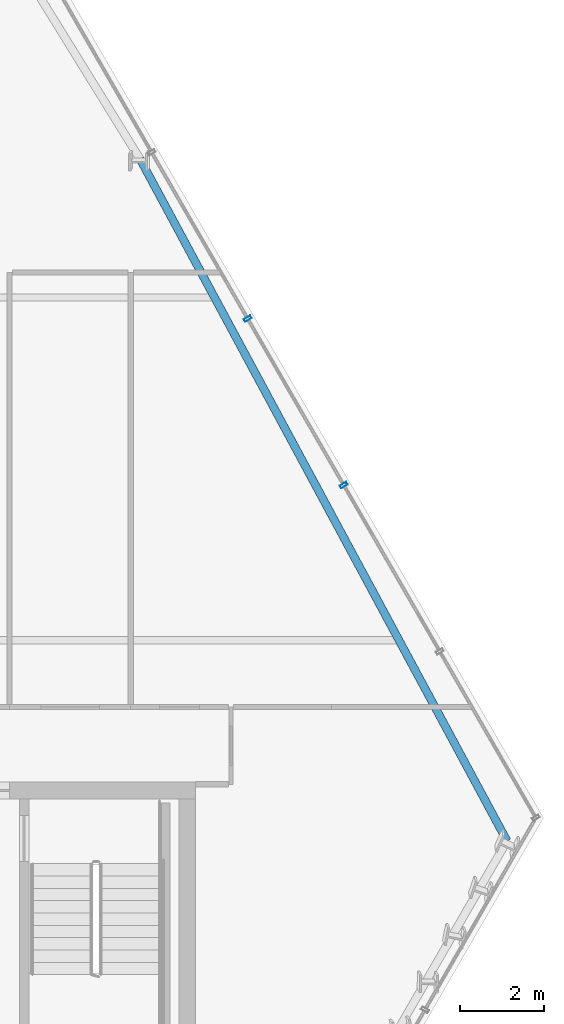
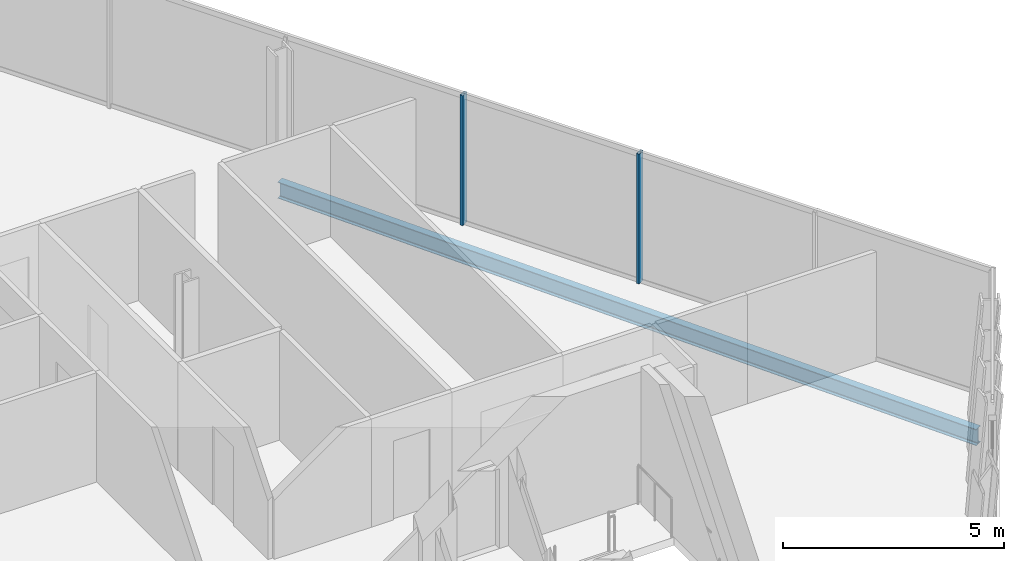
# One storey, part 17 of 33: 2 members, 1 beam, 1 element without a shape of its own.
"""IFC4 building model written with IfcOpenShell, lengths in metres."""

from ifc_helpers import new_model, si_unit, direction, frame, origin, origin_2d, place, context, subcontext, project, spatial, hollow_rectangle, i_section, extrude, material, layer, layer_set, material_profile, profile_set, type_object, element, aggregate, save


model = new_model("IFC4")

# Units and contexts
model_context = context("Model", 3, precision=1e-05, world=origin(), true_north=direction((0.0, 1.0)))
body_context = subcontext(model_context, "Body", "Model", "MODEL_VIEW")
ifc_project = project(units=[si_unit("LENGTHUNIT", "METRE"), si_unit("AREAUNIT", "SQUARE_METRE"), si_unit("VOLUMEUNIT", "CUBIC_METRE"), si_unit("PLANEANGLEUNIT", "RADIAN"), si_unit("MASSUNIT", "GRAM", prefix="KILO")], contexts=[model_context])

# Site, building, storey
site_placement = place(None, origin())
site = spatial("IfcSite", under=ifc_project, at=site_placement, CompositionType="ELEMENT")
building_placement = place(site_placement, origin())
building = spatial("IfcBuilding", under=site, at=building_placement, Name="Ndaravel Arena Tower", CompositionType="ELEMENT")
storey_placement = place(building_placement, frame((0.0, 0.0, 168.800048828125)))
storey = spatial("IfcBuildingStorey", under=building, at=storey_placement, Name="L40", CompositionType="ELEMENT", Elevation=168.800048828125)

# Beam
ifc_material_1 = material(Name="Steel S355", Category="steel")
ifc_material_profile_1 = material_profile(ifc_material_1, i_section(OverallWidth=0.18994140625, OverallDepth=0.449951171875, WebThickness=0.009521484375, FlangeThickness=0.0146484375, FilletRadius=0.02099609375, at=origin_2d()), Name="IPE 450")
ifc_profile_set_1 = profile_set([ifc_material_profile_1], Name="Steel S355")
beam_type = type_object("IfcBeamType", Name="BM-SPAN-IPE450", PredefinedType="SPANDREL", material=ifc_profile_set_1)
beam_placement = place(storey_placement, frame((65.005859375, 13.794189453125, -0.445068359375), z_axis=(-0.473873575868, 0.880592887829, 0.0), x_axis=(-0.880592887829, -0.473873575868, 0.0)))
element("IfcBeam", 1, at=beam_placement, inside=storey, type_object=beam_type, Name="L40 Perimeter Spandrel Beam SP-09", PredefinedType="SPANDREL", context=body_context, shape_type="SweptSolid", body=[
    extrude(i_section(OverallWidth=0.18994140625, OverallDepth=0.449951171875, WebThickness=0.009521484375, FlangeThickness=0.0146484375, FilletRadius=0.02099609375, at=origin_2d()), origin(), (0.0, 0.0, 1.0), 18.533935546875),
])

# Curtain wall, members
ifc_material_2 = material(Name="Aluminium", Category="aluminium")
ifc_layer = layer(ifc_material_2, 0.179931640625)
ifc_layer_set = layer_set([ifc_layer], Name="Aluminium")
curtain_wall_type = type_object("IfcCurtainWallType", Name="CW-SYS-03", PredefinedType="NOTDEFINED", material=ifc_layer_set)
curtain_wall_placement = place(storey_placement, origin())
curtain_wall = element("IfcCurtainWall", 2, at=curtain_wall_placement, inside=storey, type_object=curtain_wall_type, Name="L40 Faceted Crystal Curtain Wall CW-L40-E03", PredefinedType="NOTDEFINED")
ifc_material_3 = material(Name="Aluminium", Category="aluminium")
ifc_material_profile_2 = material_profile(ifc_material_3, hollow_rectangle(XDim=0.074951171875, YDim=0.179931640625, WallThickness=0.00390625, at=origin_2d()), Name="CW MULLION 75x180x4")
ifc_profile_set_2 = profile_set([ifc_material_profile_2], Name="Aluminium")
member_type = type_object("IfcMemberType", Name="MEM-CW-MUL180", PredefinedType="MULLION", material=ifc_profile_set_2)
member_1_placement = place(storey_placement, frame((61.097900390625, 22.311767578125, 0.0), z_axis=(0.0, 0.0, 1.0), x_axis=(-0.5, 0.866025403784, 0.0)))
member_1 = element("IfcMember", 3, at=member_1_placement, type_object=member_type, Name="CW-L40-E03 Mullion 02", PredefinedType="MULLION", context=body_context, shape_type="SweptSolid", body=[
    extrude(hollow_rectangle(XDim=0.074951171875, YDim=0.179931640625, WallThickness=0.00390625, at=origin_2d()), origin(), (0.0, 0.0, 1.0), 3.579833984375),
])
member_2_placement = place(storey_placement, frame((58.799072265625, 26.29345703125, 0.0), z_axis=(0.0, 0.0, 1.0), x_axis=(-0.5, 0.866025403784, 0.0)))
member_2 = element("IfcMember", 4, at=member_2_placement, type_object=member_type, Name="CW-L40-E03 Mullion 03", PredefinedType="MULLION", context=body_context, shape_type="SweptSolid", body=[
    extrude(hollow_rectangle(XDim=0.074951171875, YDim=0.179931640625, WallThickness=0.00390625, at=origin_2d()), origin(), (0.0, 0.0, 1.0), 3.579833984375),
])
aggregate(curtain_wall, [member_1, member_2])

save(model, "model.ifc")
